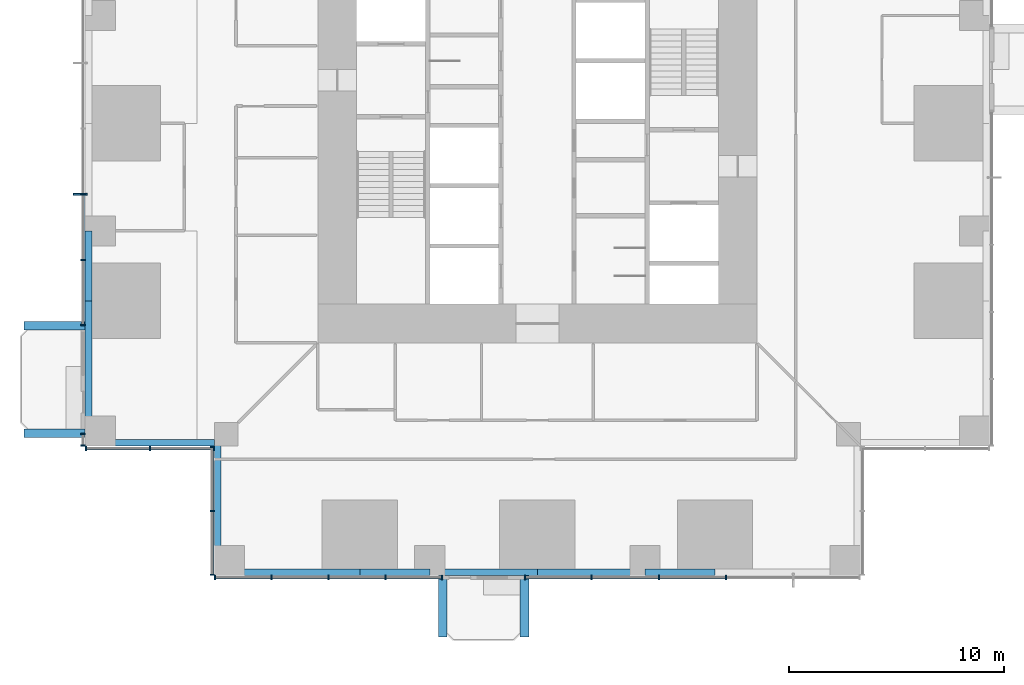
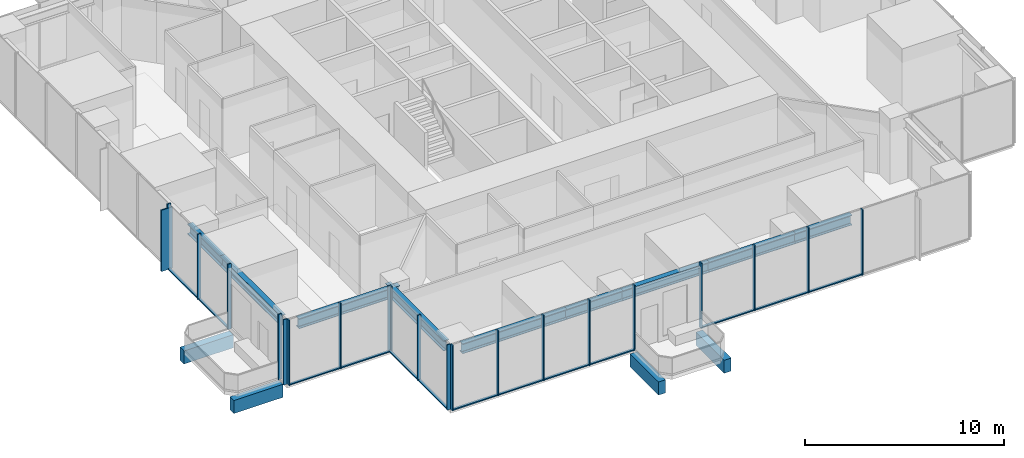
# One storey, part 2 of 17: 34 members, 13 beams, 6 elements without a shape of their own.
"""IFC4 building model written with IfcOpenShell, lengths in metres."""

from ifc_helpers import new_model, si_unit, direction, frame, origin, origin_2d, place, context, subcontext, project, spatial, rectangle, i_section, extrude, material, material_profile, profile_set, type_object, element, aggregate, save


model = new_model("IFC4")

# Units and contexts
model_context = context("Model", 3, precision=1e-05, world=origin(), true_north=direction((0.0, 1.0)))
body_context = subcontext(model_context, "Body", "Model", "MODEL_VIEW")
ifc_project = project(units=[si_unit("LENGTHUNIT", "METRE"), si_unit("AREAUNIT", "SQUARE_METRE"), si_unit("VOLUMEUNIT", "CUBIC_METRE"), si_unit("PLANEANGLEUNIT", "RADIAN"), si_unit("MASSUNIT", "GRAM", prefix="KILO")], contexts=[model_context])

# Site, building, storey
site_placement = place(None, origin())
site = spatial("IfcSite", under=ifc_project, at=site_placement, CompositionType="ELEMENT")
building_placement = place(site_placement, origin())
building = spatial("IfcBuilding", under=site, at=building_placement, Name="Svetlomir Tower", CompositionType="ELEMENT")
storey_placement = place(building_placement, frame((0.0, 0.0, 30.5)))
storey = spatial("IfcBuildingStorey", under=building, at=storey_placement, Name="L06", CompositionType="ELEMENT", Elevation=30.5)

# Beams
ifc_material_1 = material(Name="Concrete C60/75", Category="concrete")
ifc_material_profile_1 = material_profile(ifc_material_1, rectangle(XDim=0.39990234375, YDim=0.800048828125, at=origin_2d()), Name="RC 400x800")
ifc_profile_set_1 = profile_set([ifc_material_profile_1], Name="Concrete C60/75")
beam_type_1 = type_object("IfcBeamType", Name="BALCONY RIB RC 400x800", PredefinedType="BEAM", material=ifc_profile_set_1)
for number, where, z_axis, x_axis, name in (
    (1, (16.60009765625, 0.0, -0.64990234375), (0.0, -1.0, 0.0), (1.0, 0.0, 0.0), "Balcony rib S 1 L06"),
    (2, (20.39990234375, 0.0, -0.64990234375), (0.0, -1.0, 0.0), (1.0, 0.0, 0.0), "Balcony rib S 2 L06"),
    (3, (0.0, 6.60009765625, -0.64990234375), (-1.0, 0.0, 0.0), (0.0, -1.0, 0.0), "Balcony rib W 1 L06"),
    (4, (0.0, 11.60009765625, -0.64990234375), (-1.0, 0.0, 0.0), (0.0, -1.0, 0.0), "Balcony rib W 2 L06"),
):
    element("IfcBeam", number, at=place(storey_placement, frame(where, z_axis=z_axis, x_axis=x_axis)), inside=storey, type_object=beam_type_1, Name=name, PredefinedType="BEAM", context=body_context, shape_type="SweptSolid", body=[
        extrude(rectangle(XDim=0.39990234375, YDim=0.800048828125, at=origin_2d()), origin(), (0.0, 0.0, 1.0), 2.85009765625),
    ])

# Curtain wall, member
ifc_material_2 = material(Name="Bronze anodised aluminium curtain wall", Category="aluminium")
curtain_wall_type = type_object("IfcCurtainWallType", Name="CURTAIN WALL CW1 TOWER OFFICE", PredefinedType="NOTDEFINED", material=ifc_material_2)
curtain_wall_1_placement = place(storey_placement, origin())
curtain_wall_1 = element("IfcCurtainWall", 5, at=curtain_wall_1_placement, inside=storey, type_object=curtain_wall_type, Name="Curtain wall CW1 L06", PredefinedType="NOTDEFINED")
ifc_material_3 = material(Name="Bronze anodised aluminium", Category="aluminium")
ifc_material_profile_2 = material_profile(ifc_material_3, rectangle(XDim=0.080078125, YDim=0.64990234375, at=origin_2d()), Name="FIN 80x650")
ifc_profile_set_2 = profile_set([ifc_material_profile_2], Name="Bronze anodised aluminium 6063-T6")
member_type_1 = type_object("IfcMemberType", Name="BRONZE FIN 80x650", PredefinedType="USERDEFINED", material=ifc_profile_set_2)
member_1_placement = place(storey_placement, frame((-0.22509765625, 17.699951171875, 0.0), z_axis=(0.0, 0.0, 1.0), x_axis=(0.0, 1.0, 0.0)))
member_1 = element("IfcMember", 6, at=member_1_placement, type_object=member_type_1, Name="Bronze fin L06", ObjectType="FIN", PredefinedType="USERDEFINED", context=body_context, shape_type="SweptSolid", body=[
    extrude(rectangle(XDim=0.080078125, YDim=0.64990234375, at=origin_2d()), origin(), (0.0, 0.0, 1.0), 3.75),
])

# Curtain wall, members
curtain_wall_2_placement = place(storey_placement, origin())
curtain_wall_2 = element("IfcCurtainWall", 7, at=curtain_wall_2_placement, inside=storey, type_object=curtain_wall_type, Name="Curtain wall CW1 L06", PredefinedType="NOTDEFINED")
ifc_material_4 = material(Name="Bronze anodised aluminium", Category="aluminium")
ifc_material_profile_3 = material_profile(ifc_material_4, rectangle(XDim=0.06494140625, YDim=0.199951171875, at=origin_2d()), Name="AL 65x200")
ifc_profile_set_3 = profile_set([ifc_material_profile_3], Name="Bronze anodised aluminium 6063-T6")
member_type_2 = type_object("IfcMemberType", Name="CW1 MULLION 65x200", PredefinedType="MULLION", material=ifc_profile_set_3)
member_2_placement = place(storey_placement, frame((6.032470703125, -0.10009765625, 0.0), z_axis=(0.0, 0.0, 1.0), x_axis=(1.0, 0.0, 0.0)))
member_2 = element("IfcMember", 8, at=member_2_placement, type_object=member_type_2, Name="CW1 mullion 1", PredefinedType="MULLION", context=body_context, shape_type="SweptSolid", body=[
    extrude(rectangle(XDim=0.06494140625, YDim=0.199951171875, at=origin_2d()), origin(), (0.0, 0.0, 1.0), 4.0),
])
member_3_placement = place(storey_placement, frame((8.64990234375, -0.10009765625, 0.0), z_axis=(0.0, 0.0, 1.0), x_axis=(1.0, 0.0, 0.0)))
member_3 = element("IfcMember", 9, at=member_3_placement, type_object=member_type_2, Name="CW1 mullion 2", PredefinedType="MULLION", context=body_context, shape_type="SweptSolid", body=[
    extrude(rectangle(XDim=0.06494140625, YDim=0.199951171875, at=origin_2d()), origin(), (0.0, 0.0, 1.0), 4.0),
])
member_4_placement = place(storey_placement, frame((11.300048828125, -0.10009765625, 0.0), z_axis=(0.0, 0.0, 1.0), x_axis=(1.0, 0.0, 0.0)))
member_4 = element("IfcMember", 10, at=member_4_placement, type_object=member_type_2, Name="CW1 mullion 3", PredefinedType="MULLION", context=body_context, shape_type="SweptSolid", body=[
    extrude(rectangle(XDim=0.06494140625, YDim=0.199951171875, at=origin_2d()), origin(), (0.0, 0.0, 1.0), 4.0),
])
member_5_placement = place(storey_placement, frame((13.949951171875, -0.10009765625, 0.0), z_axis=(0.0, 0.0, 1.0), x_axis=(1.0, 0.0, 0.0)))
member_5 = element("IfcMember", 11, at=member_5_placement, type_object=member_type_2, Name="CW1 mullion 4", PredefinedType="MULLION", context=body_context, shape_type="SweptSolid", body=[
    extrude(rectangle(XDim=0.06494140625, YDim=0.199951171875, at=origin_2d()), origin(), (0.0, 0.0, 1.0), 4.0),
])
member_6_placement = place(storey_placement, frame((16.5673828125, -0.10009765625, 0.0), z_axis=(0.0, 0.0, 1.0), x_axis=(1.0, 0.0, 0.0)))
member_6 = element("IfcMember", 12, at=member_6_placement, type_object=member_type_2, Name="CW1 mullion 5", PredefinedType="MULLION", context=body_context, shape_type="SweptSolid", body=[
    extrude(rectangle(XDim=0.06494140625, YDim=0.199951171875, at=origin_2d()), origin(), (0.0, 0.0, 1.0), 4.0),
])

curtain_wall_3_placement = place(storey_placement, origin())
curtain_wall_3 = element("IfcCurtainWall", 13, at=curtain_wall_3_placement, inside=storey, type_object=curtain_wall_type, Name="Curtain wall CW1 L06", PredefinedType="NOTDEFINED")
member_7_placement = place(storey_placement, frame((20.4326171875, -0.10009765625, 0.0), z_axis=(0.0, 0.0, 1.0), x_axis=(1.0, 0.0, 0.0)))
member_7 = element("IfcMember", 14, at=member_7_placement, type_object=member_type_2, Name="CW1 mullion 1", PredefinedType="MULLION", context=body_context, shape_type="SweptSolid", body=[
    extrude(rectangle(XDim=0.06494140625, YDim=0.199951171875, at=origin_2d()), origin(), (0.0, 0.0, 1.0), 4.0),
])
member_8_placement = place(storey_placement, frame((23.52001953125, -0.10009765625, 0.0), z_axis=(0.0, 0.0, 1.0), x_axis=(1.0, 0.0, 0.0)))
member_8 = element("IfcMember", 15, at=member_8_placement, type_object=member_type_2, Name="CW1 mullion 2", PredefinedType="MULLION", context=body_context, shape_type="SweptSolid", body=[
    extrude(rectangle(XDim=0.06494140625, YDim=0.199951171875, at=origin_2d()), origin(), (0.0, 0.0, 1.0), 4.0),
])
member_9_placement = place(storey_placement, frame((26.639892578125, -0.10009765625, 0.0), z_axis=(0.0, 0.0, 1.0), x_axis=(1.0, 0.0, 0.0)))
member_9 = element("IfcMember", 16, at=member_9_placement, type_object=member_type_2, Name="CW1 mullion 3", PredefinedType="MULLION", context=body_context, shape_type="SweptSolid", body=[
    extrude(rectangle(XDim=0.06494140625, YDim=0.199951171875, at=origin_2d()), origin(), (0.0, 0.0, 1.0), 4.0),
])
member_10_placement = place(storey_placement, frame((29.760009765625, -0.10009765625, 0.0), z_axis=(0.0, 0.0, 1.0), x_axis=(1.0, 0.0, 0.0)))
member_10 = element("IfcMember", 17, at=member_10_placement, type_object=member_type_2, Name="CW1 mullion 4", PredefinedType="MULLION", context=body_context, shape_type="SweptSolid", body=[
    extrude(rectangle(XDim=0.06494140625, YDim=0.199951171875, at=origin_2d()), origin(), (0.0, 0.0, 1.0), 4.0),
])

# Member
member_11_placement = place(storey_placement, frame((-0.10009765625, 17.699951171875, 0.0), z_axis=(0.0, 0.0, 1.0), x_axis=(0.0, -1.0, 0.0)))
member_11 = element("IfcMember", 18, at=member_11_placement, type_object=member_type_2, Name="CW1 mullion 7", PredefinedType="MULLION", context=body_context, shape_type="SweptSolid", body=[
    extrude(rectangle(XDim=0.06494140625, YDim=0.199951171875, at=origin_2d()), origin(), (0.0, 0.0, 1.0), 4.0),
])

member_12_placement = place(storey_placement, frame((-0.10009765625, 14.64990234375, 0.0), z_axis=(0.0, 0.0, 1.0), x_axis=(0.0, -1.0, 0.0)))
member_12 = element("IfcMember", 19, at=member_12_placement, type_object=member_type_2, Name="CW1 mullion 8", PredefinedType="MULLION", context=body_context, shape_type="SweptSolid", body=[
    extrude(rectangle(XDim=0.06494140625, YDim=0.199951171875, at=origin_2d()), origin(), (0.0, 0.0, 1.0), 4.0),
])

member_13_placement = place(storey_placement, frame((-0.10009765625, 11.632568359375, 0.0), z_axis=(0.0, 0.0, 1.0), x_axis=(0.0, -1.0, 0.0)))
member_13 = element("IfcMember", 20, at=member_13_placement, type_object=member_type_2, Name="CW1 mullion 9", PredefinedType="MULLION", context=body_context, shape_type="SweptSolid", body=[
    extrude(rectangle(XDim=0.06494140625, YDim=0.199951171875, at=origin_2d()), origin(), (0.0, 0.0, 1.0), 4.0),
])

# Curtain wall, members
curtain_wall_4_placement = place(storey_placement, origin())
curtain_wall_4 = element("IfcCurtainWall", 21, at=curtain_wall_4_placement, inside=storey, type_object=curtain_wall_type, Name="Curtain wall CW1 L06", PredefinedType="NOTDEFINED")
member_14_placement = place(storey_placement, frame((-0.10009765625, 6.5673828125, 0.0), z_axis=(0.0, 0.0, 1.0), x_axis=(0.0, -1.0, 0.0)))
member_14 = element("IfcMember", 22, at=member_14_placement, type_object=member_type_2, Name="CW1 mullion 1", PredefinedType="MULLION", context=body_context, shape_type="SweptSolid", body=[
    extrude(rectangle(XDim=0.06494140625, YDim=0.199951171875, at=origin_2d()), origin(), (0.0, 0.0, 1.0), 4.0),
])
member_15_placement = place(storey_placement, frame((-0.10009765625, 6.032470703125, 0.0), z_axis=(0.0, 0.0, 1.0), x_axis=(0.0, -1.0, 0.0)))
member_15 = element("IfcMember", 23, at=member_15_placement, type_object=member_type_2, Name="CW1 mullion 2", PredefinedType="MULLION", context=body_context, shape_type="SweptSolid", body=[
    extrude(rectangle(XDim=0.06494140625, YDim=0.199951171875, at=origin_2d()), origin(), (0.0, 0.0, 1.0), 4.0),
])
aggregate(curtain_wall_4, [member_14, member_15])

curtain_wall_5_placement = place(storey_placement, origin())
curtain_wall_5 = element("IfcCurtainWall", 24, at=curtain_wall_5_placement, inside=storey, type_object=curtain_wall_type, Name="Curtain wall CW1 L06", PredefinedType="NOTDEFINED")
member_16_placement = place(storey_placement, frame((0.032470703125, 5.89990234375, 0.0), z_axis=(0.0, 0.0, 1.0), x_axis=(1.0, 0.0, 0.0)))
member_16 = element("IfcMember", 25, at=member_16_placement, type_object=member_type_2, Name="CW1 mullion 1", PredefinedType="MULLION", context=body_context, shape_type="SweptSolid", body=[
    extrude(rectangle(XDim=0.06494140625, YDim=0.199951171875, at=origin_2d()), origin(), (0.0, 0.0, 1.0), 4.0),
])
member_17_placement = place(storey_placement, frame((3.0, 5.89990234375, 0.0), z_axis=(0.0, 0.0, 1.0), x_axis=(1.0, 0.0, 0.0)))
member_17 = element("IfcMember", 26, at=member_17_placement, type_object=member_type_2, Name="CW1 mullion 2", PredefinedType="MULLION", context=body_context, shape_type="SweptSolid", body=[
    extrude(rectangle(XDim=0.06494140625, YDim=0.199951171875, at=origin_2d()), origin(), (0.0, 0.0, 1.0), 4.0),
])
member_18_placement = place(storey_placement, frame((5.967529296875, 5.89990234375, 0.0), z_axis=(0.0, 0.0, 1.0), x_axis=(1.0, 0.0, 0.0)))
member_18 = element("IfcMember", 27, at=member_18_placement, type_object=member_type_2, Name="CW1 mullion 3", PredefinedType="MULLION", context=body_context, shape_type="SweptSolid", body=[
    extrude(rectangle(XDim=0.06494140625, YDim=0.199951171875, at=origin_2d()), origin(), (0.0, 0.0, 1.0), 4.0),
])

curtain_wall_6_placement = place(storey_placement, origin())
curtain_wall_6 = element("IfcCurtainWall", 28, at=curtain_wall_6_placement, inside=storey, type_object=curtain_wall_type, Name="Curtain wall CW1 L06", PredefinedType="NOTDEFINED")
member_19_placement = place(storey_placement, frame((5.89990234375, 5.967529296875, 0.0), z_axis=(0.0, 0.0, 1.0), x_axis=(0.0, -1.0, 0.0)))
member_19 = element("IfcMember", 29, at=member_19_placement, type_object=member_type_2, Name="CW1 mullion 1", PredefinedType="MULLION", context=body_context, shape_type="SweptSolid", body=[
    extrude(rectangle(XDim=0.06494140625, YDim=0.199951171875, at=origin_2d()), origin(), (0.0, 0.0, 1.0), 4.0),
])
member_20_placement = place(storey_placement, frame((5.89990234375, 3.0, 0.0), z_axis=(0.0, 0.0, 1.0), x_axis=(0.0, -1.0, 0.0)))
member_20 = element("IfcMember", 30, at=member_20_placement, type_object=member_type_2, Name="CW1 mullion 2", PredefinedType="MULLION", context=body_context, shape_type="SweptSolid", body=[
    extrude(rectangle(XDim=0.06494140625, YDim=0.199951171875, at=origin_2d()), origin(), (0.0, 0.0, 1.0), 4.0),
])
member_21_placement = place(storey_placement, frame((5.89990234375, 0.032470703125, 0.0), z_axis=(0.0, 0.0, 1.0), x_axis=(0.0, -1.0, 0.0)))
member_21 = element("IfcMember", 31, at=member_21_placement, type_object=member_type_2, Name="CW1 mullion 3", PredefinedType="MULLION", context=body_context, shape_type="SweptSolid", body=[
    extrude(rectangle(XDim=0.06494140625, YDim=0.199951171875, at=origin_2d()), origin(), (0.0, 0.0, 1.0), 4.0),
])

# Member
ifc_material_5 = material(Name="Bronze anodised aluminium", Category="aluminium")
ifc_material_profile_4 = material_profile(ifc_material_5, rectangle(XDim=0.139892578125, YDim=0.06494140625, at=origin_2d()), Name="AL 140x65")
ifc_profile_set_4 = profile_set([ifc_material_profile_4], Name="Bronze anodised aluminium 6063-T6")
member_type_3 = type_object("IfcMemberType", Name="CW1 TRANSOM 65x140", PredefinedType="USERDEFINED", material=ifc_profile_set_4)
member_22_placement = place(storey_placement, frame((6.06494140625, -0.10009765625, 0.032470703125), z_axis=(1.0, 0.0, 0.0), x_axis=(0.0, 1.0, 0.0)))
member_22 = element("IfcMember", 32, at=member_22_placement, type_object=member_type_3, Name="CW1 transom 1.1", ObjectType="TRANSOM", PredefinedType="USERDEFINED", context=body_context, shape_type="SweptSolid", body=[
    extrude(rectangle(XDim=0.139892578125, YDim=0.06494140625, at=origin_2d()), origin(), (0.0, 0.0, 1.0), 2.552490234375),
])

member_23_placement = place(storey_placement, frame((8.6826171875, -0.10009765625, 0.032470703125), z_axis=(1.0, 0.0, 0.0), x_axis=(0.0, 1.0, 0.0)))
member_23 = element("IfcMember", 33, at=member_23_placement, type_object=member_type_3, Name="CW1 transom 2.1", ObjectType="TRANSOM", PredefinedType="USERDEFINED", context=body_context, shape_type="SweptSolid", body=[
    extrude(rectangle(XDim=0.139892578125, YDim=0.06494140625, at=origin_2d()), origin(), (0.0, 0.0, 1.0), 2.5849609375),
])

member_24_placement = place(storey_placement, frame((11.33251953125, -0.10009765625, 0.032470703125), z_axis=(1.0, 0.0, 0.0), x_axis=(0.0, 1.0, 0.0)))
member_24 = element("IfcMember", 34, at=member_24_placement, type_object=member_type_3, Name="CW1 transom 3.1", ObjectType="TRANSOM", PredefinedType="USERDEFINED", context=body_context, shape_type="SweptSolid", body=[
    extrude(rectangle(XDim=0.139892578125, YDim=0.06494140625, at=origin_2d()), origin(), (0.0, 0.0, 1.0), 2.5849609375),
])

member_25_placement = place(storey_placement, frame((13.982421875, -0.10009765625, 0.032470703125), z_axis=(1.0, 0.0, 0.0), x_axis=(0.0, 1.0, 0.0)))
member_25 = element("IfcMember", 35, at=member_25_placement, type_object=member_type_3, Name="CW1 transom 4.1", ObjectType="TRANSOM", PredefinedType="USERDEFINED", context=body_context, shape_type="SweptSolid", body=[
    extrude(rectangle(XDim=0.139892578125, YDim=0.06494140625, at=origin_2d()), origin(), (0.0, 0.0, 1.0), 2.552490234375),
])

aggregate(curtain_wall_2, [member_2, member_3, member_4, member_5, member_6, member_22, member_23, member_24, member_25])

member_26_placement = place(storey_placement, frame((20.465087890625, -0.10009765625, 0.032470703125), z_axis=(1.0, 0.0, 0.0), x_axis=(0.0, 1.0, 0.0)))
member_26 = element("IfcMember", 36, at=member_26_placement, type_object=member_type_3, Name="CW1 transom 1.1", ObjectType="TRANSOM", PredefinedType="USERDEFINED", context=body_context, shape_type="SweptSolid", body=[
    extrude(rectangle(XDim=0.139892578125, YDim=0.06494140625, at=origin_2d()), origin(), (0.0, 0.0, 1.0), 3.0224609375),
])

member_27_placement = place(storey_placement, frame((23.552490234375, -0.10009765625, 0.032470703125), z_axis=(1.0, 0.0, 0.0), x_axis=(0.0, 1.0, 0.0)))
member_27 = element("IfcMember", 37, at=member_27_placement, type_object=member_type_3, Name="CW1 transom 2.1", ObjectType="TRANSOM", PredefinedType="USERDEFINED", context=body_context, shape_type="SweptSolid", body=[
    extrude(rectangle(XDim=0.139892578125, YDim=0.06494140625, at=origin_2d()), origin(), (0.0, 0.0, 1.0), 3.054931640625),
])

member_28_placement = place(storey_placement, frame((26.672607421875, -0.10009765625, 0.032470703125), z_axis=(1.0, 0.0, 0.0), x_axis=(0.0, 1.0, 0.0)))
member_28 = element("IfcMember", 38, at=member_28_placement, type_object=member_type_3, Name="CW1 transom 3.1", ObjectType="TRANSOM", PredefinedType="USERDEFINED", context=body_context, shape_type="SweptSolid", body=[
    extrude(rectangle(XDim=0.139892578125, YDim=0.06494140625, at=origin_2d()), origin(), (0.0, 0.0, 1.0), 3.054931640625),
])

aggregate(curtain_wall_3, [member_7, member_8, member_9, member_10, member_26, member_27, member_28])

member_29_placement = place(storey_placement, frame((-0.10009765625, 17.66748046875, 0.032470703125), z_axis=(0.0, -1.0, 0.0), x_axis=(1.0, 0.0, 0.0)))
member_29 = element("IfcMember", 39, at=member_29_placement, type_object=member_type_3, Name="CW1 transom 7.1", ObjectType="TRANSOM", PredefinedType="USERDEFINED", context=body_context, shape_type="SweptSolid", body=[
    extrude(rectangle(XDim=0.139892578125, YDim=0.06494140625, at=origin_2d()), origin(), (0.0, 0.0, 1.0), 2.98486328125),
])

member_30_placement = place(storey_placement, frame((-0.10009765625, 14.617431640625, 0.032470703125), z_axis=(0.0, -1.0, 0.0), x_axis=(1.0, 0.0, 0.0)))
member_30 = element("IfcMember", 40, at=member_30_placement, type_object=member_type_3, Name="CW1 transom 8.1", ObjectType="TRANSOM", PredefinedType="USERDEFINED", context=body_context, shape_type="SweptSolid", body=[
    extrude(rectangle(XDim=0.139892578125, YDim=0.06494140625, at=origin_2d()), origin(), (0.0, 0.0, 1.0), 2.952392578125),
])

aggregate(curtain_wall_1, [member_11, member_12, member_13, member_29, member_30, member_1])

member_31_placement = place(storey_placement, frame((0.06494140625, 5.89990234375, 0.032470703125), z_axis=(1.0, 0.0, 0.0), x_axis=(0.0, 1.0, 0.0)))
member_31 = element("IfcMember", 41, at=member_31_placement, type_object=member_type_3, Name="CW1 transom 1.1", ObjectType="TRANSOM", PredefinedType="USERDEFINED", context=body_context, shape_type="SweptSolid", body=[
    extrude(rectangle(XDim=0.139892578125, YDim=0.06494140625, at=origin_2d()), origin(), (0.0, 0.0, 1.0), 2.902587890625),
])

member_32_placement = place(storey_placement, frame((3.032470703125, 5.89990234375, 0.032470703125), z_axis=(1.0, 0.0, 0.0), x_axis=(0.0, 1.0, 0.0)))
member_32 = element("IfcMember", 42, at=member_32_placement, type_object=member_type_3, Name="CW1 transom 2.1", ObjectType="TRANSOM", PredefinedType="USERDEFINED", context=body_context, shape_type="SweptSolid", body=[
    extrude(rectangle(XDim=0.139892578125, YDim=0.06494140625, at=origin_2d()), origin(), (0.0, 0.0, 1.0), 2.902587890625),
])

aggregate(curtain_wall_5, [member_16, member_17, member_18, member_31, member_32])

member_33_placement = place(storey_placement, frame((5.89990234375, 5.93505859375, 0.032470703125), z_axis=(0.0, -1.0, 0.0), x_axis=(1.0, 0.0, 0.0)))
member_33 = element("IfcMember", 43, at=member_33_placement, type_object=member_type_3, Name="CW1 transom 1.1", ObjectType="TRANSOM", PredefinedType="USERDEFINED", context=body_context, shape_type="SweptSolid", body=[
    extrude(rectangle(XDim=0.139892578125, YDim=0.06494140625, at=origin_2d()), origin(), (0.0, 0.0, 1.0), 2.902587890625),
])

member_34_placement = place(storey_placement, frame((5.89990234375, 2.967529296875, 0.032470703125), z_axis=(0.0, -1.0, 0.0), x_axis=(1.0, 0.0, 0.0)))
member_34 = element("IfcMember", 44, at=member_34_placement, type_object=member_type_3, Name="CW1 transom 2.1", ObjectType="TRANSOM", PredefinedType="USERDEFINED", context=body_context, shape_type="SweptSolid", body=[
    extrude(rectangle(XDim=0.139892578125, YDim=0.06494140625, at=origin_2d()), origin(), (0.0, 0.0, 1.0), 2.902587890625),
])

aggregate(curtain_wall_6, [member_19, member_20, member_21, member_33, member_34])

# Beams
ifc_material_6 = material(Name="Steel S355", Category="steel")
ifc_material_profile_5 = material_profile(ifc_material_6, i_section(OverallWidth=0.304931640625, OverallDepth=0.6201171875, WebThickness=0.02099609375, FlangeThickness=0.0400390625, FilletRadius=0.027099609375, at=origin_2d()), Name="HEM 600")
ifc_profile_set_5 = profile_set([ifc_material_profile_5], Name="Steel S355")
beam_type_2 = type_object("IfcBeamType", Name="EDGE BEAM HEM 600", PredefinedType="SPANDREL", material=ifc_profile_set_5)
for number, where, z_axis, x_axis, name in (
    (45, (6.699951171875, 0.152587890625, 3.43994140625), (1.0, 0.0, 0.0), (0.0, 1.0, 0.0), "Edge beam 6/0 to 11/0 under L07"),
    (46, (0.152587890625, 6.699951171875, 3.43994140625), (0.0, 1.0, 0.0), (-1.0, 0.0, 0.0), "Edge beam 0/6 to 0/11 under L07"),
):
    element("IfcBeam", number, at=place(storey_placement, frame(where, z_axis=z_axis, x_axis=x_axis)), inside=storey, type_object=beam_type_2, Name=name, PredefinedType="SPANDREL", context=body_context, shape_type="SweptSolid", body=[
        extrude(i_section(OverallWidth=0.304931640625, OverallDepth=0.6201171875, WebThickness=0.02099609375, FlangeThickness=0.0400390625, FilletRadius=0.027099609375, at=origin_2d()), origin(), (0.0, 0.0, 1.0), 6.050048828125),
    ])
for number, where, z_axis, x_axis, name in (
    (47, (12.75, 0.152587890625, 3.43994140625), (1.0, 0.0, 0.0), (0.0, 1.0, 0.0), "Edge beam 11/0 to 16/0 under L07"),
    (48, (0.152587890625, 12.75, 3.43994140625), (0.0, 1.0, 0.0), (-1.0, 0.0, 0.0), "Edge beam 0/11 to 0/16 under L07"),
):
    element("IfcBeam", number, at=place(storey_placement, frame(where, z_axis=z_axis, x_axis=x_axis)), inside=storey, type_object=beam_type_2, Name=name, PredefinedType="SPANDREL", context=body_context, shape_type="SweptSolid", body=[
        extrude(i_section(OverallWidth=0.304931640625, OverallDepth=0.6201171875, WebThickness=0.02099609375, FlangeThickness=0.0400390625, FilletRadius=0.027099609375, at=origin_2d()), origin(), (0.0, 0.0, 1.0), 3.25),
    ])
for number, where, z_axis, x_axis, name in (
    (49, (16.0, 0.152587890625, 3.43994140625), (1.0, 0.0, 0.0), (0.0, 1.0, 0.0), "Edge beam 16/0 to 21/0 under L07"),
    (50, (21.0, 0.152587890625, 3.43994140625), (1.0, 0.0, 0.0), (0.0, 1.0, 0.0), "Edge beam 21/0 to 26/0 under L07"),
):
    element("IfcBeam", number, at=place(storey_placement, frame(where, z_axis=z_axis, x_axis=x_axis)), inside=storey, type_object=beam_type_2, Name=name, PredefinedType="SPANDREL", context=body_context, shape_type="SweptSolid", body=[
        extrude(i_section(OverallWidth=0.304931640625, OverallDepth=0.6201171875, WebThickness=0.02099609375, FlangeThickness=0.0400390625, FilletRadius=0.027099609375, at=origin_2d()), origin(), (0.0, 0.0, 1.0), 5.0),
    ])
beam_placement = place(storey_placement, frame((26.0, 0.152587890625, 3.43994140625), z_axis=(1.0, 0.0, 0.0), x_axis=(0.0, 1.0, 0.0)))
element("IfcBeam", 51, at=beam_placement, inside=storey, type_object=beam_type_2, Name="Edge beam 26/0 to 31/0 under L07", PredefinedType="SPANDREL", context=body_context, shape_type="SweptSolid", body=[
    extrude(i_section(OverallWidth=0.304931640625, OverallDepth=0.6201171875, WebThickness=0.02099609375, FlangeThickness=0.0400390625, FilletRadius=0.027099609375, at=origin_2d()), origin(), (0.0, 0.0, 1.0), 3.25),
])
for number, where, z_axis, x_axis, name in (
    (52, (6.152587890625, 0.699951171875, 3.43994140625), (0.0, 1.0, 0.0), (-1.0, 0.0, 0.0), "Edge beam 6/0 to 6/6 under L07"),
    (53, (0.699951171875, 6.152587890625, 3.43994140625), (1.0, 0.0, 0.0), (0.0, 1.0, 0.0), "Edge beam 0/6 to 6/6 under L07"),
):
    element("IfcBeam", number, at=place(storey_placement, frame(where, z_axis=z_axis, x_axis=x_axis)), inside=storey, type_object=beam_type_2, Name=name, PredefinedType="SPANDREL", context=body_context, shape_type="SweptSolid", body=[
        extrude(i_section(OverallWidth=0.304931640625, OverallDepth=0.6201171875, WebThickness=0.02099609375, FlangeThickness=0.0400390625, FilletRadius=0.027099609375, at=origin_2d()), origin(), (0.0, 0.0, 1.0), 5.85009765625),
    ])

save(model, "model.ifc")
